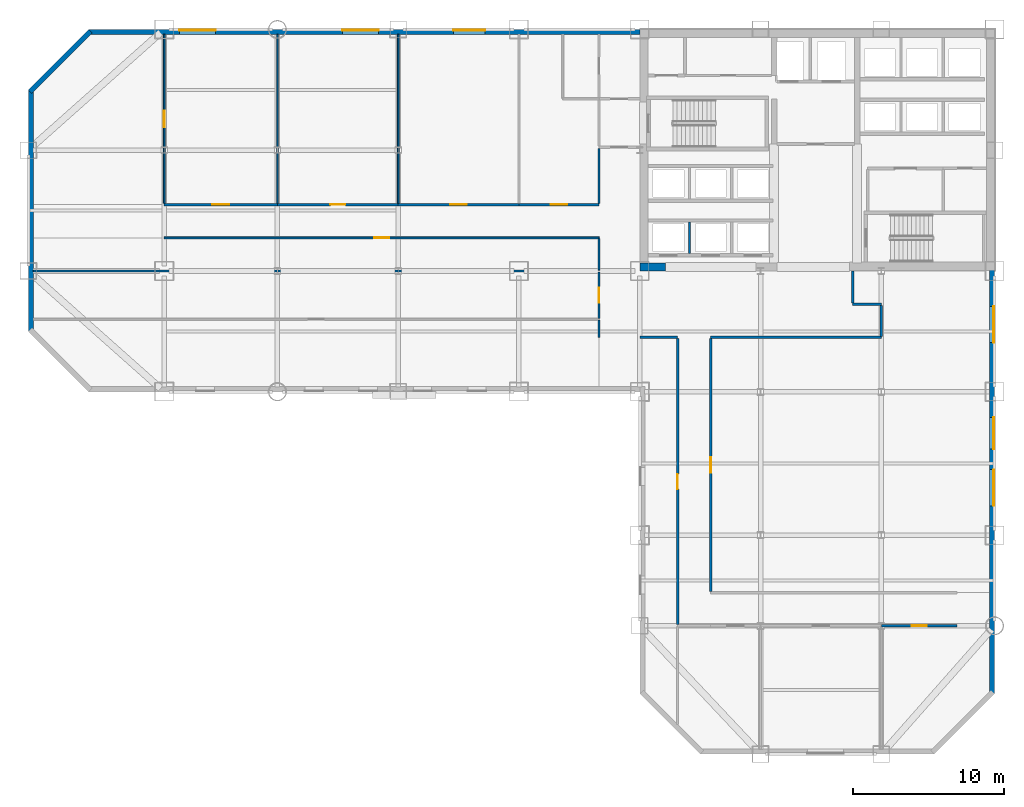
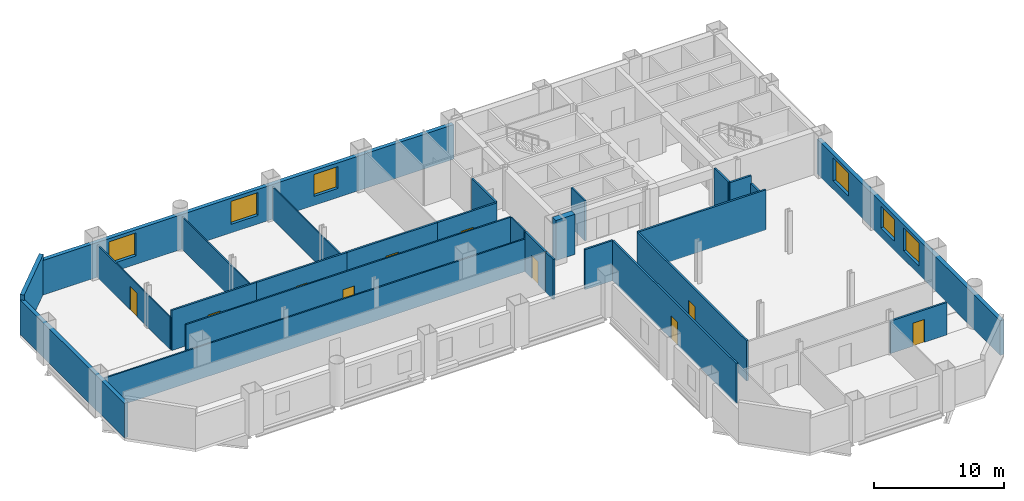
# One storey, part 5 of 9: 27 walls, 10 doors, 6 windows, 16 openings.
"""IFC4 building model written with IfcOpenShell, lengths in metres."""

from ifc_helpers import new_model, si_unit, direction, frame, frame_2d, origin, place, context, subcontext, project, spatial, rectangle, extrude, material, layer, layer_set, type_object, element, fill, save


model = new_model("IFC4")

# Units and contexts
model_context = context("Model", 3, precision=1e-05, world=origin(), true_north=direction((0.0, 1.0)))
body_context = subcontext(model_context, "Body", "Model", "MODEL_VIEW")
ifc_project = project(units=[si_unit("LENGTHUNIT", "METRE"), si_unit("AREAUNIT", "SQUARE_METRE"), si_unit("VOLUMEUNIT", "CUBIC_METRE"), si_unit("PLANEANGLEUNIT", "RADIAN"), si_unit("MASSUNIT", "GRAM", prefix="KILO")], contexts=[model_context])

# Site, building, storey
site_placement = place(None, origin())
site = spatial("IfcSite", under=ifc_project, at=site_placement, CompositionType="ELEMENT")
building_placement = place(site_placement, origin())
building = spatial("IfcBuilding", under=site, at=building_placement, Name="Qianrong Seaharbour Tower", CompositionType="ELEMENT")
storey_placement = place(building_placement, frame((0.0, 0.0, 48.199951171875)))
storey = spatial("IfcBuildingStorey", under=building, at=storey_placement, Name="L11", CompositionType="ELEMENT", Elevation=48.199951171875)

# Wall
ifc_material_1 = material(Name="Concrete C70/85", Category="concrete")
ifc_layer_1 = layer(ifc_material_1, 0.5400390625)
ifc_layer_set_1 = layer_set([ifc_layer_1], Name="Concrete C70/85")
wall_type_1 = type_object("IfcWallType", Name="WALL-CORE-540", PredefinedType="SHEAR", material=ifc_layer_set_1)
wall_1_placement = place(storey_placement, frame((40.5, 36.27001953125, 0.0), z_axis=(0.0, 0.0, 1.0), x_axis=(1.0, 0.0, 0.0)))
element("IfcWall", 1, at=wall_1_placement, inside=storey, type_object=wall_type_1, Name="L11 South Core Shear Wall S1", PredefinedType="SHEAR", context=body_context, shape_type="SweptSolid", body=[
    extrude(rectangle(XDim=1.699951171875, YDim=0.5400390625, at=frame_2d((0.85009765625, 0.0))), origin(), (0.0, 0.0, 1.0), 3.75),
])

# Wall, opening, door
ifc_material_2 = material(Name="Fire-rated acoustic gypsum board partition")
ifc_layer_2 = layer(ifc_material_2, 0.1650390625)
ifc_layer_set_2 = layer_set([ifc_layer_2], Name="Fire-rated acoustic gypsum board partition")
wall_type_2 = type_object("IfcWallType", Name="WALL-CORR-PART-165", PredefinedType="PARTITIONING", material=ifc_layer_set_2)
wall_2_placement = place(storey_placement, frame((9.0, 40.39990234375, 0.0), z_axis=(0.0, 0.0, 1.0), x_axis=(1.0, 0.0, 0.0)))
wall_2 = element("IfcWall", 2, at=wall_2_placement, inside=storey, type_object=wall_type_2, Name="L11 Interior Partition Wall 015", PredefinedType="PARTITIONING", context=body_context, shape_type="SweptSolid", body=[
    extrude(rectangle(XDim=7.5, YDim=0.1650390625, at=frame_2d((3.75, 0.0))), origin(), (0.0, 0.0, 1.0), 3.75),
])
opening_1_placement = place(wall_2_placement, frame((3.199951171875, 0.0, 0.0)))
opening_1 = element("IfcOpeningElement", 3, at=opening_1_placement, cuts=wall_2, Name="Opening DM-01", PredefinedType="OPENING", context=body_context, shape_type="SweptSolid", body=[
    extrude(rectangle(XDim=1.10009765625, YDim=2.199951171875, at=frame_2d((0.550048828125, 1.10009765625))), frame((0.0, 0.092529296875, 0.0), z_axis=(0.0, -1.0, 0.0), x_axis=(1.0, 0.0, 0.0)), (0.0, 0.0, 1.0), 0.18505859375),
])
ifc_material_3 = material(Name="Acoustic timber and galvanized steel fire door assembly", Category="steel")
door_type_1 = type_object("IfcDoorType", Name="DOOR-MEET-1100x2200", OperationType="NOTDEFINED", PredefinedType="DOOR", material=ifc_material_3)
door_1_placement = place(opening_1_placement, origin())
door_1 = element("IfcDoor", 4, at=door_1_placement, inside=storey, type_object=door_type_1, Name="L11 Meeting Room 2 Door", OperationType="SINGLE_SWING_LEFT", OverallHeight=2.199951171875, OverallWidth=1.10009765625, PredefinedType="DOOR", context=body_context, shape_type="SweptSolid", body=[
    extrude(rectangle(XDim=1.10009765625, YDim=2.199951171875, at=frame_2d((0.550048828125, 1.10009765625))), frame((0.0, 0.02490234375, 0.0), z_axis=(0.0, -1.0, 0.0), x_axis=(1.0, 0.0, 0.0)), (0.0, 0.0, 1.0), 0.050048828125),
])
fill(opening_1, door_1)

wall_3_placement = place(storey_placement, frame((16.5, 40.39990234375, 0.0), z_axis=(0.0, 0.0, 1.0), x_axis=(1.0, 0.0, 0.0)))
wall_3 = element("IfcWall", 5, at=wall_3_placement, inside=storey, type_object=wall_type_2, Name="L11 Interior Partition Wall 016", PredefinedType="PARTITIONING", context=body_context, shape_type="SweptSolid", body=[
    extrude(rectangle(XDim=8.0, YDim=0.1650390625, at=frame_2d((4.0, 0.0))), origin(), (0.0, 0.0, 1.0), 3.75),
])
opening_2_placement = place(wall_3_placement, frame((3.5, 0.0, 0.0)))
opening_2 = element("IfcOpeningElement", 6, at=opening_2_placement, cuts=wall_3, Name="Opening DO-01", PredefinedType="OPENING", context=body_context, shape_type="SweptSolid", body=[
    extrude(rectangle(XDim=1.0, YDim=2.14990234375, at=frame_2d((0.5, 1.074951171875))), frame((0.0, 0.092529296875, 0.0), z_axis=(0.0, -1.0, 0.0), x_axis=(1.0, 0.0, 0.0)), (0.0, 0.0, 1.0), 0.18505859375),
])
door_type_2 = type_object("IfcDoorType", Name="DOOR-OFFICE-1000x2150", OperationType="NOTDEFINED", PredefinedType="DOOR", material=ifc_material_3)
door_2_placement = place(opening_2_placement, origin())
door_2 = element("IfcDoor", 7, at=door_2_placement, inside=storey, type_object=door_type_2, Name="L11 Project Library 3 Door", OperationType="SINGLE_SWING_RIGHT", OverallHeight=2.14990234375, OverallWidth=1.0, PredefinedType="DOOR", context=body_context, shape_type="SweptSolid", body=[
    extrude(rectangle(XDim=1.0, YDim=2.14990234375, at=frame_2d((0.5, 1.074951171875))), frame((0.0, 0.02490234375, 0.0), z_axis=(0.0, -1.0, 0.0), x_axis=(1.0, 0.0, 0.0)), (0.0, 0.0, 1.0), 0.050048828125),
])
fill(opening_2, door_2)

wall_4_placement = place(storey_placement, frame((24.5, 40.39990234375, 0.0), z_axis=(0.0, 0.0, 1.0), x_axis=(1.0, 0.0, 0.0)))
wall_4 = element("IfcWall", 8, at=wall_4_placement, inside=storey, type_object=wall_type_2, Name="L11 Interior Partition Wall 017", PredefinedType="PARTITIONING", context=body_context, shape_type="SweptSolid", body=[
    extrude(rectangle(XDim=8.0, YDim=0.1650390625, at=frame_2d((4.0, 0.0))), origin(), (0.0, 0.0, 1.0), 3.75),
])
opening_3_placement = place(wall_4_placement, frame((3.449951171875, 0.0, 0.0)))
opening_3 = element("IfcOpeningElement", 9, at=opening_3_placement, cuts=wall_4, Name="Opening DM-01", PredefinedType="OPENING", context=body_context, shape_type="SweptSolid", body=[
    extrude(rectangle(XDim=1.10009765625, YDim=2.199951171875, at=frame_2d((0.550048828125, 1.10009765625))), frame((0.0, 0.092529296875, 0.0), z_axis=(0.0, -1.0, 0.0), x_axis=(1.0, 0.0, 0.0)), (0.0, 0.0, 1.0), 0.18505859375),
])
door_3_placement = place(opening_3_placement, origin())
door_3 = element("IfcDoor", 10, at=door_3_placement, inside=storey, type_object=door_type_1, Name="L11 Training Seminar Room 4 Door", OperationType="SINGLE_SWING_LEFT", OverallHeight=2.199951171875, OverallWidth=1.10009765625, PredefinedType="DOOR", context=body_context, shape_type="SweptSolid", body=[
    extrude(rectangle(XDim=1.10009765625, YDim=2.199951171875, at=frame_2d((0.550048828125, 1.10009765625))), frame((0.0, 0.02490234375, 0.0), z_axis=(0.0, -1.0, 0.0), x_axis=(1.0, 0.0, 0.0)), (0.0, 0.0, 1.0), 0.050048828125),
])
fill(opening_3, door_3)

wall_5_placement = place(storey_placement, frame((32.5, 40.39990234375, 0.0), z_axis=(0.0, 0.0, 1.0), x_axis=(1.0, 0.0, 0.0)))
wall_5 = element("IfcWall", 11, at=wall_5_placement, inside=storey, type_object=wall_type_2, Name="L11 Interior Partition Wall 018", PredefinedType="PARTITIONING", context=body_context, shape_type="SweptSolid", body=[
    extrude(rectangle(XDim=5.300048828125, YDim=0.1650390625, at=frame_2d((2.64990234375, 0.0))), origin(), (0.0, 0.0, 1.0), 3.75),
])
opening_4_placement = place(wall_5_placement, frame((2.10009765625, 0.0, 0.0)))
opening_4 = element("IfcOpeningElement", 12, at=opening_4_placement, cuts=wall_5, Name="Opening DM-01", PredefinedType="OPENING", context=body_context, shape_type="SweptSolid", body=[
    extrude(rectangle(XDim=1.10009765625, YDim=2.199951171875, at=frame_2d((0.550048828125, 1.10009765625))), frame((0.0, 0.092529296875, 0.0), z_axis=(0.0, -1.0, 0.0), x_axis=(1.0, 0.0, 0.0)), (0.0, 0.0, 1.0), 0.18505859375),
])
door_4_placement = place(opening_4_placement, origin())
door_4 = element("IfcDoor", 13, at=door_4_placement, inside=storey, type_object=door_type_1, Name="L11 Boardroom 5 Door", OperationType="SINGLE_SWING_RIGHT", OverallHeight=2.199951171875, OverallWidth=1.10009765625, PredefinedType="DOOR", context=body_context, shape_type="SweptSolid", body=[
    extrude(rectangle(XDim=1.10009765625, YDim=2.199951171875, at=frame_2d((0.550048828125, 1.10009765625))), frame((0.0, 0.02490234375, 0.0), z_axis=(0.0, -1.0, 0.0), x_axis=(1.0, 0.0, 0.0)), (0.0, 0.0, 1.0), 0.050048828125),
])
fill(opening_4, door_4)

# Walls
wall_6_placement = place(storey_placement, frame((37.800048828125, 40.474609375, 0.0), z_axis=(0.0, 0.0, 1.0), x_axis=(0.0, 1.0, 0.0)))
element("IfcWall", 14, at=wall_6_placement, inside=storey, type_object=wall_type_2, Name="L11 Interior Partition Wall 020", PredefinedType="PARTITIONING", context=body_context, shape_type="SweptSolid", body=[
    extrude(rectangle(XDim=3.65087890625, YDim=0.1650390625, at=frame_2d((1.825439453125, 0.0))), origin(), (0.0, 0.0, 1.0), 3.75),
])
wall_7_placement = place(storey_placement, frame((37.800048828125, 31.60009765625, 0.0), z_axis=(0.0, 0.0, 1.0), x_axis=(0.0, 1.0, 0.0)))
element("IfcWall", 15, at=wall_7_placement, inside=storey, type_object=wall_type_2, Name="L11 Interior Partition Wall 021", PredefinedType="PARTITIONING", context=body_context, shape_type="SweptSolid", body=[
    extrude(rectangle(XDim=1.15283203125, YDim=0.1650390625, at=frame_2d((0.576416015625, 0.0))), origin(), (0.0, 0.0, 1.0), 3.75),
])

# Wall, opening, door
wall_8_placement = place(storey_placement, frame((37.800048828125, 32.846923828125, 0.0), z_axis=(0.0, 0.0, 1.0), x_axis=(0.0, 1.0, 0.0)))
wall_8 = element("IfcWall", 16, at=wall_8_placement, inside=storey, type_object=wall_type_2, Name="L11 Interior Partition Wall 022", PredefinedType="PARTITIONING", context=body_context, shape_type="SweptSolid", body=[
    extrude(rectangle(XDim=3.09619140625, YDim=0.1650390625, at=frame_2d((1.548095703125, 0.0))), origin(), (0.0, 0.0, 1.0), 3.75),
])
opening_5_placement = place(wall_8_placement, frame((1.048095703125, 0.0, 0.0)))
opening_5 = element("IfcOpeningElement", 17, at=opening_5_placement, cuts=wall_8, Name="Opening DO-01", PredefinedType="OPENING", context=body_context, shape_type="SweptSolid", body=[
    extrude(rectangle(XDim=1.0, YDim=2.14990234375, at=frame_2d((0.5, 1.074951171875))), frame((0.0, 0.092529296875, 0.0), z_axis=(0.0, -1.0, 0.0), x_axis=(1.0, 0.0, 0.0)), (0.0, 0.0, 1.0), 0.18505859375),
])
door_5_placement = place(opening_5_placement, origin())
door_5 = element("IfcDoor", 18, at=door_5_placement, inside=storey, type_object=door_type_2, Name="L11 Division Conference Gallery 2 Door", OperationType="SINGLE_SWING_RIGHT", OverallHeight=2.14990234375, OverallWidth=1.0, PredefinedType="DOOR", context=body_context, shape_type="SweptSolid", body=[
    extrude(rectangle(XDim=1.0, YDim=2.14990234375, at=frame_2d((0.5, 1.074951171875))), frame((0.0, 0.02490234375, 0.0), z_axis=(0.0, -1.0, 0.0), x_axis=(1.0, 0.0, 0.0)), (0.0, 0.0, 1.0), 0.050048828125),
])
fill(opening_5, door_5)

# Walls
wall_9_placement = place(storey_placement, frame((54.60009765625, 36.0, 0.0), z_axis=(0.0, 0.0, 1.0), x_axis=(0.0, -1.0, 0.0)))
element("IfcWall", 19, at=wall_9_placement, inside=storey, type_object=wall_type_2, Name="L11 Interior Partition Wall 024", PredefinedType="PARTITIONING", context=body_context, shape_type="SweptSolid", body=[
    extrude(rectangle(XDim=2.12548828125, YDim=0.1650390625, at=frame_2d((1.062744140625, 0.0))), origin(), (0.0, 0.0, 1.0), 3.75),
])
wall_10_placement = place(storey_placement, frame((54.60009765625, 33.800048828125, 0.0), z_axis=(0.0, 0.0, 1.0), x_axis=(1.0, 0.0, 0.0)))
element("IfcWall", 20, at=wall_10_placement, inside=storey, type_object=wall_type_2, Name="L11 Interior Partition Wall 025", PredefinedType="PARTITIONING", context=body_context, shape_type="SweptSolid", body=[
    extrude(rectangle(XDim=1.89990234375, YDim=0.1650390625, at=frame_2d((0.949951171875, 0.0))), origin(), (0.0, 0.0, 1.0), 3.75),
])
wall_11_placement = place(storey_placement, frame((56.5, 33.7255859375, 0.0), z_axis=(0.0, 0.0, 1.0), x_axis=(0.0, -1.0, 0.0)))
element("IfcWall", 21, at=wall_11_placement, inside=storey, type_object=wall_type_2, Name="L11 Interior Partition Wall 026", PredefinedType="PARTITIONING", context=body_context, shape_type="SweptSolid", body=[
    extrude(rectangle(XDim=2.051025390625, YDim=0.1650390625, at=frame_2d((1.025390625, 0.0))), origin(), (0.0, 0.0, 1.0), 3.0419921875),
])
wall_12_placement = place(storey_placement, frame((56.5, 31.60009765625, 0.0), z_axis=(0.0, 0.0, 1.0), x_axis=(-1.0, 0.0, 0.0)))
element("IfcWall", 22, at=wall_12_placement, inside=storey, type_object=wall_type_2, Name="L11 Interior Partition Wall 027", PredefinedType="PARTITIONING", context=body_context, shape_type="SweptSolid", body=[
    extrude(rectangle(XDim=11.300048828125, YDim=0.1650390625, at=frame_2d((5.64990234375, 0.0))), origin(), (0.0, 0.0, 1.0), 3.75),
])
wall_13_placement = place(storey_placement, frame((43.0, 31.60009765625, 0.0), z_axis=(0.0, 0.0, 1.0), x_axis=(-1.0, 0.0, 0.0)))
element("IfcWall", 23, at=wall_13_placement, inside=storey, type_object=wall_type_2, Name="L11 Interior Partition Wall 028", PredefinedType="PARTITIONING", context=body_context, shape_type="SweptSolid", body=[
    extrude(rectangle(XDim=2.5, YDim=0.1650390625, at=frame_2d((1.25, 0.0))), origin(), (0.0, 0.0, 1.0), 3.75),
])

# Wall, opening, door
wall_14_placement = place(storey_placement, frame((45.199951171875, 31.525390625, 0.0), z_axis=(0.0, 0.0, 1.0), x_axis=(0.0, -1.0, 0.0)))
wall_14 = element("IfcWall", 24, at=wall_14_placement, inside=storey, type_object=wall_type_2, Name="L11 Interior Partition Wall 029", PredefinedType="PARTITIONING", context=body_context, shape_type="SweptSolid", body=[
    extrude(rectangle(XDim=16.7509765625, YDim=0.1650390625, at=frame_2d((8.37548828125, 0.0))), origin(), (0.0, 0.0, 1.0), 3.75),
])
opening_6_placement = place(wall_14_placement, frame((7.87548828125, 0.0, 0.0)))
opening_6 = element("IfcOpeningElement", 25, at=opening_6_placement, cuts=wall_14, Name="Opening DO-01", PredefinedType="OPENING", context=body_context, shape_type="SweptSolid", body=[
    extrude(rectangle(XDim=1.0, YDim=2.14990234375, at=frame_2d((0.5, 1.074951171875))), frame((0.0, 0.092529296875, 0.0), z_axis=(0.0, -1.0, 0.0), x_axis=(1.0, 0.0, 0.0)), (0.0, 0.0, 1.0), 0.18505859375),
])
door_6_placement = place(opening_6_placement, origin())
door_6 = element("IfcDoor", 26, at=door_6_placement, inside=storey, type_object=door_type_2, Name="L11 South Wing Open-Plan Office Door", OperationType="SINGLE_SWING_RIGHT", OverallHeight=2.14990234375, OverallWidth=1.0, PredefinedType="DOOR", context=body_context, shape_type="SweptSolid", body=[
    extrude(rectangle(XDim=1.0, YDim=2.14990234375, at=frame_2d((0.5, 1.074951171875))), frame((0.0, 0.02490234375, 0.0), z_axis=(0.0, -1.0, 0.0), x_axis=(1.0, 0.0, 0.0)), (0.0, 0.0, 1.0), 0.050048828125),
])
fill(opening_6, door_6)

wall_15_placement = place(storey_placement, frame((43.0, 12.574462890625, 0.0), z_axis=(0.0, 0.0, 1.0), x_axis=(0.0, 1.0, 0.0)))
wall_15 = element("IfcWall", 27, at=wall_15_placement, inside=storey, type_object=wall_type_2, Name="L11 Interior Partition Wall 030", PredefinedType="PARTITIONING", context=body_context, shape_type="SweptSolid", body=[
    extrude(rectangle(XDim=18.950927734375, YDim=0.1650390625, at=frame_2d((9.4755859375, 0.0))), origin(), (0.0, 0.0, 1.0), 3.75),
])
opening_7_placement = place(wall_15_placement, frame((8.9755859375, 0.0, 0.0)))
opening_7 = element("IfcOpeningElement", 28, at=opening_7_placement, cuts=wall_15, Name="Opening DO-01", PredefinedType="OPENING", context=body_context, shape_type="SweptSolid", body=[
    extrude(rectangle(XDim=1.0, YDim=2.14990234375, at=frame_2d((0.5, 1.074951171875))), frame((0.0, 0.092529296875, 0.0), z_axis=(0.0, -1.0, 0.0), x_axis=(1.0, 0.0, 0.0)), (0.0, 0.0, 1.0), 0.18505859375),
])
door_7_placement = place(opening_7_placement, origin())
door_7 = element("IfcDoor", 29, at=door_7_placement, inside=storey, type_object=door_type_2, Name="L11 West Spine Open-Plan Office Door", OperationType="SINGLE_SWING_LEFT", OverallHeight=2.14990234375, OverallWidth=1.0, PredefinedType="DOOR", context=body_context, shape_type="SweptSolid", body=[
    extrude(rectangle(XDim=1.0, YDim=2.14990234375, at=frame_2d((0.5, 1.074951171875))), frame((0.0, 0.02490234375, 0.0), z_axis=(0.0, -1.0, 0.0), x_axis=(1.0, 0.0, 0.0)), (0.0, 0.0, 1.0), 0.050048828125),
])
fill(opening_7, door_7)

wall_16_placement = place(storey_placement, frame((61.5, 12.5, 0.0), z_axis=(0.0, 0.0, 1.0), x_axis=(-1.0, 0.0, 0.0)))
wall_16 = element("IfcWall", 30, at=wall_16_placement, inside=storey, type_object=wall_type_2, Name="L11 Interior Partition Wall 035", PredefinedType="PARTITIONING", context=body_context, shape_type="SweptSolid", body=[
    extrude(rectangle(XDim=5.0, YDim=0.1650390625, at=frame_2d((2.5, 0.0))), origin(), (0.0, 0.0, 1.0), 3.0419921875),
])
opening_8_placement = place(wall_16_placement, frame((2.0, 0.0, 0.0)))
opening_8 = element("IfcOpeningElement", 31, at=opening_8_placement, cuts=wall_16, Name="Opening DO-01", PredefinedType="OPENING", context=body_context, shape_type="SweptSolid", body=[
    extrude(rectangle(XDim=1.0, YDim=2.14990234375, at=frame_2d((0.5, 1.074951171875))), frame((0.0, 0.092529296875, 0.0), z_axis=(0.0, -1.0, 0.0), x_axis=(1.0, 0.0, 0.0)), (0.0, 0.0, 1.0), 0.18505859375),
])
door_8_placement = place(opening_8_placement, origin())
door_8 = element("IfcDoor", 32, at=door_8_placement, inside=storey, type_object=door_type_2, Name="L11 Standards Library 3 Door", OperationType="SINGLE_SWING_RIGHT", OverallHeight=2.14990234375, OverallWidth=1.0, PredefinedType="DOOR", context=body_context, shape_type="SweptSolid", body=[
    extrude(rectangle(XDim=1.0, YDim=2.14990234375, at=frame_2d((0.5, 1.074951171875))), frame((0.0, 0.02490234375, 0.0), z_axis=(0.0, -1.0, 0.0), x_axis=(1.0, 0.0, 0.0)), (0.0, 0.0, 1.0), 0.050048828125),
])
fill(opening_8, door_8)

ifc_material_4 = material(Name="Demountable aluminium-framed acoustic office partition", Category="aluminium")
ifc_layer_3 = layer(ifc_material_4, 0.110107421875)
ifc_layer_set_3 = layer_set([ifc_layer_3], Name="Demountable aluminium-framed acoustic office partition")
wall_type_3 = type_object("IfcWallType", Name="WALL-DEMOUNT-110", PredefinedType="MOVABLE", material=ifc_layer_set_3)
wall_17_placement = place(storey_placement, frame((9.0, 51.66796875, 0.0), z_axis=(0.0, 0.0, 1.0), x_axis=(0.0, -1.0, 0.0)))
wall_17 = element("IfcWall", 33, at=wall_17_placement, inside=storey, type_object=wall_type_3, Name="L11 Interior Partition Wall 037", PredefinedType="MOVABLE", context=body_context, shape_type="SweptSolid", body=[
    extrude(rectangle(XDim=11.193359375, YDim=0.110107421875, at=frame_2d((5.5966796875, 0.0))), origin(), (0.0, 0.0, 1.0), 3.0419921875),
])
opening_9_placement = place(wall_17_placement, frame((5.046875, 0.0, 0.0)))
opening_9 = element("IfcOpeningElement", 34, at=opening_9_placement, cuts=wall_17, Name="Opening DM-01", PredefinedType="OPENING", context=body_context, shape_type="SweptSolid", body=[
    extrude(rectangle(XDim=1.10009765625, YDim=2.199951171875, at=frame_2d((0.550048828125, 1.10009765625))), frame((0.0, 0.06494140625, 0.0), z_axis=(0.0, -1.0, 0.0), x_axis=(1.0, 0.0, 0.0)), (0.0, 0.0, 1.0), 0.130126953125),
])
door_9_placement = place(opening_9_placement, origin())
door_9 = element("IfcDoor", 35, at=door_9_placement, inside=storey, type_object=door_type_1, Name="L11 Boardroom 1 Door", OperationType="SINGLE_SWING_RIGHT", OverallHeight=2.199951171875, OverallWidth=1.10009765625, PredefinedType="DOOR", context=body_context, shape_type="SweptSolid", body=[
    extrude(rectangle(XDim=1.10009765625, YDim=2.199951171875, at=frame_2d((0.550048828125, 1.10009765625))), frame((0.0, 0.02490234375, 0.0), z_axis=(0.0, -1.0, 0.0), x_axis=(1.0, 0.0, 0.0)), (0.0, 0.0, 1.0), 0.050048828125),
])
fill(opening_9, door_9)

# Walls
for number, where, z_axis, x_axis, name in (
    (36, (16.5, 51.66796875, 0.0), (0.0, 0.0, 1.0), (0.0, -1.0, 0.0), "L11 Interior Partition Wall 038"),
    (37, (24.5, 51.66796875, 0.0), (0.0, 0.0, 1.0), (0.0, -1.0, 0.0), "L11 Interior Partition Wall 039"),
):
    element("IfcWall", number, at=place(storey_placement, frame(where, z_axis=z_axis, x_axis=x_axis)), inside=storey, type_object=wall_type_3, Name=name, PredefinedType="MOVABLE", context=body_context, shape_type="SweptSolid", body=[
        extrude(rectangle(XDim=11.193359375, YDim=0.110107421875, at=frame_2d((5.5966796875, 0.0))), origin(), (0.0, 0.0, 1.0), 3.0419921875),
    ])
ifc_material_5 = material(Name="Unitised buff brick on Precast concrete C45/55", Category="masonry")
ifc_layer_4 = layer(ifc_material_5, 0.340087890625)
ifc_layer_set_4 = layer_set([ifc_layer_4], Name="Unitised buff brick on Precast concrete C45/55")
wall_type_4 = type_object("IfcWallType", Name="WALL-EXT-BRICK-BUFF-340", PredefinedType="SOLIDWALL", material=ifc_layer_set_4)
wall_18_placement = place(storey_placement, frame((0.169921875, 32.0, 0.0), z_axis=(0.0, 0.0, 1.0), x_axis=(0.0, 1.0, 0.0)))
element("IfcWall", 38, at=wall_18_placement, inside=storey, type_object=wall_type_4, Name="L11 Exterior Masonry Facade Wall WEST_TIP", PredefinedType="SOLIDWALL", context=body_context, shape_type="SweptSolid", body=[
    extrude(rectangle(XDim=16.0, YDim=0.340087890625, at=frame_2d((8.0, 0.0))), origin(), (0.0, 0.0, 1.0), 3.25),
])
wall_19_placement = place(storey_placement, frame((0.1201171875, 47.8798828125, 0.0), z_axis=(0.0, 0.0, 1.0), x_axis=(0.707106781187, 0.707106781187, 0.0)))
element("IfcWall", 39, at=wall_19_placement, inside=storey, type_object=wall_type_4, Name="L11 Exterior Masonry Facade Wall E04", PredefinedType="SOLIDWALL", context=body_context, shape_type="SweptSolid", body=[
    extrude(rectangle(XDim=5.65673828125, YDim=0.340087890625, at=frame_2d((2.828369140625, 0.0))), origin(), (0.0, 0.0, 1.0), 3.75),
])

# Wall, openings, windows
wall_20_placement = place(storey_placement, frame((4.0, 51.830078125, 0.0), z_axis=(0.0, 0.0, 1.0), x_axis=(1.0, 0.0, 0.0)))
wall_20 = element("IfcWall", 40, at=wall_20_placement, inside=storey, type_object=wall_type_4, Name="L11 Exterior Masonry Facade Wall NORTH_WING", PredefinedType="SOLIDWALL", context=body_context, shape_type="SweptSolid", body=[
    extrude(rectangle(XDim=36.52001953125, YDim=0.340087890625, at=frame_2d((18.260009765625, 0.0))), origin(), (0.0, 0.0, 1.0), 3.25),
])
opening_10_placement = place(wall_20_placement, frame((6.0, 0.0, 0.800048828125)))
opening_10 = element("IfcOpeningElement", 41, at=opening_10_placement, cuts=wall_20, Name="Opening WN-07", PredefinedType="OPENING", context=body_context, shape_type="SweptSolid", body=[
    extrude(rectangle(XDim=2.39990234375, YDim=2.14990234375, at=frame_2d((1.199951171875, 1.074951171875))), frame((0.0, 0.18017578125, 0.0), z_axis=(0.0, -1.0, 0.0), x_axis=(1.0, 0.0, 0.0)), (0.0, 0.0, 1.0), 0.360107421875),
])
opening_11_placement = place(wall_20_placement, frame((16.800048828125, 0.0, 0.800048828125)))
opening_11 = element("IfcOpeningElement", 42, at=opening_11_placement, cuts=wall_20, Name="Opening WN-07", PredefinedType="OPENING", context=body_context, shape_type="SweptSolid", body=[
    extrude(rectangle(XDim=2.39990234375, YDim=2.14990234375, at=frame_2d((1.199951171875, 1.074951171875))), frame((0.0, 0.18017578125, 0.0), z_axis=(0.0, -1.0, 0.0), x_axis=(1.0, 0.0, 0.0)), (0.0, 0.0, 1.0), 0.360107421875),
])
opening_12_placement = place(wall_20_placement, frame((24.14990234375, 0.0, 0.85009765625)))
opening_12 = element("IfcOpeningElement", 43, at=opening_12_placement, cuts=wall_20, Name="Opening WN-06", PredefinedType="OPENING", context=body_context, shape_type="SweptSolid", body=[
    extrude(rectangle(XDim=2.10009765625, YDim=2.050048828125, at=frame_2d((1.050048828125, 1.02490234375))), frame((0.0, 0.18017578125, 0.0), z_axis=(0.0, -1.0, 0.0), x_axis=(1.0, 0.0, 0.0)), (0.0, 0.0, 1.0), 0.360107421875),
])
ifc_material_6 = material(Name="Insulated low-e double glazing in thermally broken aluminium 6063-T6 frame", Category="aluminium")
window_type_1 = type_object("IfcWindowType", Name="WIN-PUNCH-2100x2050", PartitioningType="TRIPLE_PANEL_VERTICAL", PredefinedType="WINDOW", material=ifc_material_6)
window_1_placement = place(opening_12_placement, origin())
window_1 = element("IfcWindow", 44, at=window_1_placement, inside=storey, type_object=window_type_1, Name="L11 Deep-Set Punched Window 05.07", OverallHeight=2.050048828125, OverallWidth=2.10009765625, PartitioningType="TRIPLE_PANEL_VERTICAL", PredefinedType="WINDOW", context=body_context, shape_type="SweptSolid", body=[
    extrude(rectangle(XDim=2.10009765625, YDim=2.050048828125, at=frame_2d((1.050048828125, 1.02490234375))), frame((0.0, 0.150146484375, 0.0), z_axis=(0.0, -1.0, 0.0), x_axis=(1.0, 0.0, 0.0)), (0.0, 0.0, 1.0), 0.06005859375),
])
fill(opening_12, window_1)
window_type_2 = type_object("IfcWindowType", Name="WIN-PUNCH-2400x2150", PartitioningType="TRIPLE_PANEL_VERTICAL", PredefinedType="WINDOW", material=ifc_material_6)
window_2_placement = place(opening_10_placement, origin())
window_2 = element("IfcWindow", 45, at=window_2_placement, inside=storey, type_object=window_type_2, Name="L11 Deep-Set Punched Window 05.02", OverallHeight=2.14990234375, OverallWidth=2.39990234375, PartitioningType="TRIPLE_PANEL_VERTICAL", PredefinedType="WINDOW", context=body_context, shape_type="SweptSolid", body=[
    extrude(rectangle(XDim=2.39990234375, YDim=2.14990234375, at=frame_2d((1.199951171875, 1.074951171875))), frame((0.0, 0.150146484375, 0.0), z_axis=(0.0, -1.0, 0.0), x_axis=(1.0, 0.0, 0.0)), (0.0, 0.0, 1.0), 0.06005859375),
])
fill(opening_10, window_2)
window_3_placement = place(opening_11_placement, origin())
window_3 = element("IfcWindow", 46, at=window_3_placement, inside=storey, type_object=window_type_2, Name="L11 Deep-Set Punched Window 05.05", OverallHeight=2.14990234375, OverallWidth=2.39990234375, PartitioningType="TRIPLE_PANEL_VERTICAL", PredefinedType="WINDOW", context=body_context, shape_type="SweptSolid", body=[
    extrude(rectangle(XDim=2.39990234375, YDim=2.14990234375, at=frame_2d((1.199951171875, 1.074951171875))), frame((0.0, 0.150146484375, 0.0), z_axis=(0.0, -1.0, 0.0), x_axis=(1.0, 0.0, 0.0)), (0.0, 0.0, 1.0), 0.06005859375),
])
fill(opening_11, window_3)

wall_21_placement = place(storey_placement, frame((63.830078125, 36.050048828125, 0.0), z_axis=(0.0, 0.0, 1.0), x_axis=(0.0, -1.0, 0.0)))
wall_21 = element("IfcWall", 47, at=wall_21_placement, inside=storey, type_object=wall_type_4, Name="L11 Exterior Masonry Facade Wall EAST_WING", PredefinedType="SOLIDWALL", context=body_context, shape_type="SweptSolid", body=[
    extrude(rectangle(XDim=28.050048828125, YDim=0.340087890625, at=frame_2d((14.02490234375, 0.0))), origin(), (0.0, 0.0, 1.0), 3.25),
])
opening_13_placement = place(wall_21_placement, frame((2.39990234375, 0.0, 0.800048828125)))
opening_13 = element("IfcOpeningElement", 48, at=opening_13_placement, cuts=wall_21, Name="Opening WN-07", PredefinedType="OPENING", context=body_context, shape_type="SweptSolid", body=[
    extrude(rectangle(XDim=2.39990234375, YDim=2.14990234375, at=frame_2d((1.199951171875, 1.074951171875))), frame((0.0, 0.18017578125, 0.0), z_axis=(0.0, -1.0, 0.0), x_axis=(1.0, 0.0, 0.0)), (0.0, 0.0, 1.0), 0.360107421875),
])
opening_14_placement = place(wall_21_placement, frame((9.75, 0.0, 0.85009765625)))
opening_14 = element("IfcOpeningElement", 49, at=opening_14_placement, cuts=wall_21, Name="Opening WN-06", PredefinedType="OPENING", context=body_context, shape_type="SweptSolid", body=[
    extrude(rectangle(XDim=2.10009765625, YDim=2.050048828125, at=frame_2d((1.050048828125, 1.02490234375))), frame((0.0, 0.18017578125, 0.0), z_axis=(0.0, -1.0, 0.0), x_axis=(1.0, 0.0, 0.0)), (0.0, 0.0, 1.0), 0.360107421875),
])
opening_15_placement = place(wall_21_placement, frame((13.199951171875, 0.0, 0.800048828125)))
opening_15 = element("IfcOpeningElement", 50, at=opening_15_placement, cuts=wall_21, Name="Opening WN-07", PredefinedType="OPENING", context=body_context, shape_type="SweptSolid", body=[
    extrude(rectangle(XDim=2.39990234375, YDim=2.14990234375, at=frame_2d((1.199951171875, 1.074951171875))), frame((0.0, 0.18017578125, 0.0), z_axis=(0.0, -1.0, 0.0), x_axis=(1.0, 0.0, 0.0)), (0.0, 0.0, 1.0), 0.360107421875),
])
window_4_placement = place(opening_14_placement, origin())
window_4 = element("IfcWindow", 51, at=window_4_placement, inside=storey, type_object=window_type_1, Name="L11 Deep-Set Punched Window 06.03", OverallHeight=2.050048828125, OverallWidth=2.10009765625, PartitioningType="TRIPLE_PANEL_VERTICAL", PredefinedType="WINDOW", context=body_context, shape_type="SweptSolid", body=[
    extrude(rectangle(XDim=2.10009765625, YDim=2.050048828125, at=frame_2d((1.050048828125, 1.02490234375))), frame((0.0, 0.150146484375, 0.0), z_axis=(0.0, -1.0, 0.0), x_axis=(1.0, 0.0, 0.0)), (0.0, 0.0, 1.0), 0.06005859375),
])
fill(opening_14, window_4)
window_5_placement = place(opening_13_placement, origin())
window_5 = element("IfcWindow", 52, at=window_5_placement, inside=storey, type_object=window_type_2, Name="L11 Deep-Set Punched Window 06.01", OverallHeight=2.14990234375, OverallWidth=2.39990234375, PartitioningType="TRIPLE_PANEL_VERTICAL", PredefinedType="WINDOW", context=body_context, shape_type="SweptSolid", body=[
    extrude(rectangle(XDim=2.39990234375, YDim=2.14990234375, at=frame_2d((1.199951171875, 1.074951171875))), frame((0.0, 0.150146484375, 0.0), z_axis=(0.0, -1.0, 0.0), x_axis=(1.0, 0.0, 0.0)), (0.0, 0.0, 1.0), 0.06005859375),
])
fill(opening_13, window_5)
window_6_placement = place(opening_15_placement, origin())
window_6 = element("IfcWindow", 53, at=window_6_placement, inside=storey, type_object=window_type_2, Name="L11 Deep-Set Punched Window 06.04", OverallHeight=2.14990234375, OverallWidth=2.39990234375, PartitioningType="TRIPLE_PANEL_VERTICAL", PredefinedType="WINDOW", context=body_context, shape_type="SweptSolid", body=[
    extrude(rectangle(XDim=2.39990234375, YDim=2.14990234375, at=frame_2d((1.199951171875, 1.074951171875))), frame((0.0, 0.150146484375, 0.0), z_axis=(0.0, -1.0, 0.0), x_axis=(1.0, 0.0, 0.0)), (0.0, 0.0, 1.0), 0.06005859375),
])
fill(opening_15, window_6)

# Wall
ifc_material_7 = material(Name="Fire-rated gypsum board on steel studs", Category="steel")
ifc_layer_5 = layer(ifc_material_7, 0.14990234375)
ifc_layer_set_5 = layer_set([ifc_layer_5], Name="Fire-rated gypsum board on steel studs")
wall_type_5 = type_object("IfcWallType", Name="WALL-SHAFT-DIV-150", PredefinedType="PARTITIONING", material=ifc_layer_set_5)
wall_22_placement = place(storey_placement, frame((43.800048828125, 37.159912109375, 0.0), z_axis=(0.0, 0.0, 1.0), x_axis=(0.0, 1.0, 0.0)))
element("IfcWall", 54, at=wall_22_placement, inside=storey, type_object=wall_type_5, Name="L11 P1 Lift Hoistway Divider 2", PredefinedType="PARTITIONING", context=body_context, shape_type="SweptSolid", body=[
    extrude(rectangle(XDim=2.080078125, YDim=0.14990234375, at=frame_2d((1.0400390625, 0.0))), origin(), (0.0, 0.0, 1.0), 3.75),
])

# Wall, opening, door
ifc_material_8 = material(Name="Water-resistant cement board sanitary partition")
ifc_layer_6 = layer(ifc_material_8, 0.1298828125)
ifc_layer_set_6 = layer_set([ifc_layer_6], Name="Water-resistant cement board sanitary partition")
wall_type_6 = type_object("IfcWallType", Name="WALL-WET-PART-130", PredefinedType="PARTITIONING", material=ifc_layer_set_6)
wall_23_placement = place(storey_placement, frame((37.800048828125, 38.199951171875, 0.0), z_axis=(0.0, 0.0, 1.0), x_axis=(-1.0, 0.0, 0.0)))
wall_23 = element("IfcWall", 55, at=wall_23_placement, inside=storey, type_object=wall_type_6, Name="L11 Interior Partition Wall 019", PredefinedType="PARTITIONING", context=body_context, shape_type="SweptSolid", body=[
    extrude(rectangle(XDim=28.800048828125, YDim=0.1298828125, at=frame_2d((14.39990234375, 0.0))), origin(), (0.0, 0.0, 1.0), 3.75),
])
opening_16_placement = place(wall_23_placement, frame((13.89990234375, 0.0, 0.0)))
opening_16 = element("IfcOpeningElement", 56, at=opening_16_placement, cuts=wall_23, Name="Opening DO-01", PredefinedType="OPENING", context=body_context, shape_type="SweptSolid", body=[
    extrude(rectangle(XDim=1.0, YDim=2.14990234375, at=frame_2d((0.5, 1.074951171875))), frame((0.0, 0.074951171875, 0.0), z_axis=(0.0, -1.0, 0.0), x_axis=(1.0, 0.0, 0.0)), (0.0, 0.0, 1.0), 0.14990234375),
])
door_10_placement = place(opening_16_placement, origin())
door_10 = element("IfcDoor", 57, at=door_10_placement, inside=storey, type_object=door_type_2, Name="L11 Wet Pantry 3 Door", OperationType="SINGLE_SWING_LEFT", OverallHeight=2.14990234375, OverallWidth=1.0, PredefinedType="DOOR", context=body_context, shape_type="SweptSolid", body=[
    extrude(rectangle(XDim=1.0, YDim=2.14990234375, at=frame_2d((0.5, 1.074951171875))), frame((0.0, 0.02490234375, 0.0), z_axis=(0.0, -1.0, 0.0), x_axis=(1.0, 0.0, 0.0)), (0.0, 0.0, 1.0), 0.050048828125),
])
fill(opening_16, door_10)

# Walls
wall_24_placement = place(storey_placement, frame((37.800048828125, 36.056884765625, 0.0), z_axis=(0.0, 0.0, 1.0), x_axis=(0.0, 1.0, 0.0)))
element("IfcWall", 58, at=wall_24_placement, inside=storey, type_object=wall_type_6, Name="L11 Interior Partition Wall 023", PredefinedType="PARTITIONING", context=body_context, shape_type="SweptSolid", body=[
    extrude(rectangle(XDim=2.086181640625, YDim=0.1298828125, at=frame_2d((1.04296875, 0.0))), origin(), (0.0, 0.0, 1.0), 3.75),
])
wall_25_placement = place(storey_placement, frame((0.33203125, 36.0, 0.0), z_axis=(0.0, 0.0, 1.0), x_axis=(1.0, 0.0, 0.0)))
element("IfcWall", 59, at=wall_25_placement, inside=storey, type_object=wall_type_6, Name="L11 Interior Partition Wall 042", PredefinedType="PARTITIONING", context=body_context, shape_type="SweptSolid", body=[
    extrude(rectangle(XDim=37.468017578125, YDim=0.1298828125, at=frame_2d((18.73388671875, 0.0))), origin(), (0.0, 0.0, 1.0), 3.0419921875),
])

save(model, "model.ifc")
